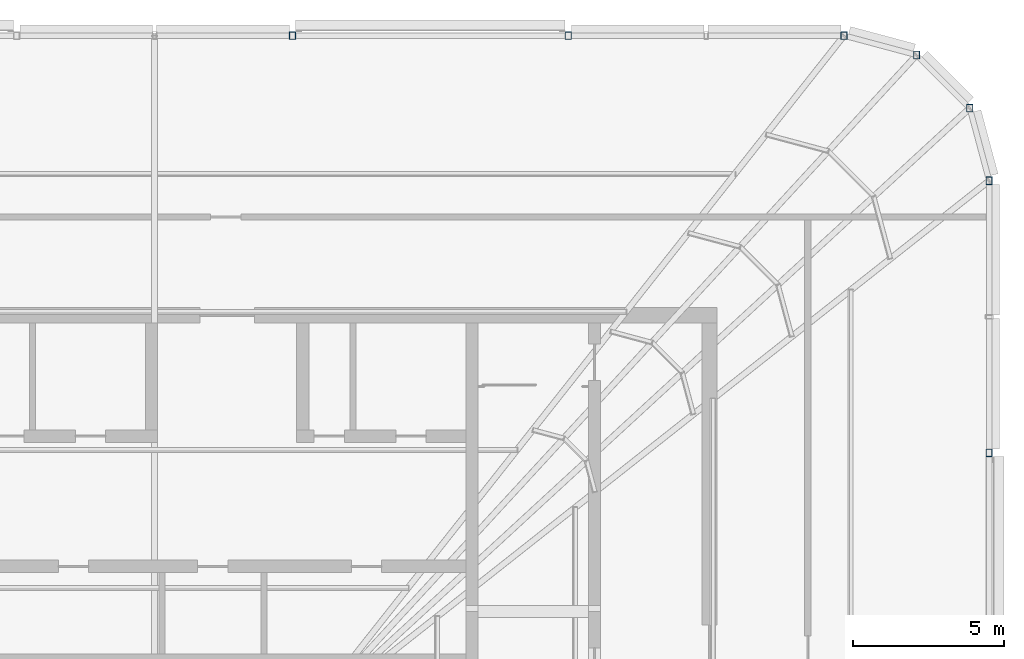
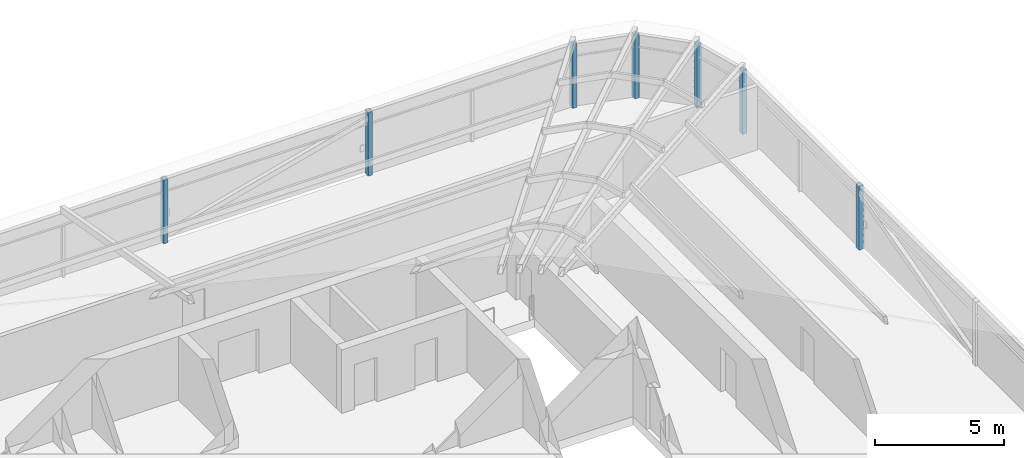
# One storey, part 4 of 46: 7 columns.
"""IFC4 building model written with IfcOpenShell, lengths in metres."""

import ifcopenshell
import ifcopenshell.guid

model = None  # the IFC model being written
_history = None  # IfcOwnerHistory: only IFC2X3 demands one
_inside = {}  # id of a spatial element -> (the spatial element, [elements in it])
_under = {}  # id of a project, library or spatial element -> (it, [spatial elements below it])
_declared = {}  # id of a project -> (the project, [libraries it declares])
_typed = {}  # id of a type object -> (the type object, [elements of that type])
_made_of = {}  # id of a material, layer set ... -> (it, [elements and type objects made of it])


def new_model(schema):
    """Start an empty IFC model of exactly this schema.

    Asked for "IFC4X3", IfcOpenShell would pick the latest addendum, in which some entities
    have other attributes; the version numbers below select the first issue.
    IFC2X3 requires an IfcOwnerHistory on every rooted entity: one is made here for all.
    """
    global model, _history
    if schema == "IFC4X3":
        model = ifcopenshell.file(schema_version=(4, 3, 0, 0))
    else:
        model = ifcopenshell.file(schema=schema)
    _inside.clear()
    _under.clear()
    _declared.clear()
    _typed.clear()
    _made_of.clear()
    _history = None
    if model.schema == "IFC2X3":
        org = make("IfcOrganization", Name="unknown")
        user = make(
            "IfcPersonAndOrganization",
            ThePerson=make("IfcPerson", FamilyName="unknown"),
            TheOrganization=org,
        )
        app = make(
            "IfcApplication",
            ApplicationDeveloper=org,
            Version="unknown",
            ApplicationFullName="unknown",
            ApplicationIdentifier="unknown",
        )
        _history = make(
            "IfcOwnerHistory",
            OwningUser=user,
            OwningApplication=app,
            ChangeAction="ADDED",
            CreationDate=0,
        )
    return model


def make(cls, **values):
    """One entity of the class cls with the attributes given. An attribute that is None is left unset."""
    return model.create_entity(
        cls, **{name: value for name, value in values.items() if value is not None}
    )


def rooted(cls, **values):
    """An entity with a GlobalId (a new one), such as an element, a storey or a relation."""
    return make(cls, GlobalId=ifcopenshell.guid.new(), OwnerHistory=_history, **values)


def si_unit(unit_type, name, prefix=None):
    """IfcSIUnit, for example si_unit("LENGTHUNIT", "METRE", prefix="MILLI")."""
    return make("IfcSIUnit", UnitType=unit_type, Prefix=prefix, Name=name)


def assignment(units):
    """IfcUnitAssignment: the units of a project."""
    return None if units is None else make("IfcUnitAssignment", Units=units)


def point(xyz):
    """IfcCartesianPoint."""
    return None if xyz is None else make("IfcCartesianPoint", Coordinates=xyz)


def direction(xyz):
    """IfcDirection."""
    return None if xyz is None else make("IfcDirection", DirectionRatios=xyz)


def frame(location, z_axis=None, x_axis=None):
    """IfcAxis2Placement3D, a coordinate frame: its origin and axes. An axis left out is left unset."""
    return make(
        "IfcAxis2Placement3D",
        Location=point(location),
        Axis=direction(z_axis),
        RefDirection=direction(x_axis),
    )


def frame_2d(location, x_axis=None):
    """IfcAxis2Placement2D, a coordinate frame in the plane: its origin and x axis."""
    return make(
        "IfcAxis2Placement2D", Location=point(location), RefDirection=direction(x_axis)
    )


def origin():
    """The frame at (0, 0, 0) with its axes left unset."""
    return frame((0.0, 0.0, 0.0))


def origin_2d():
    """The frame at (0, 0) in the plane with its x axis left unset."""
    return frame_2d((0.0, 0.0))


def place(relative_to, where):
    """IfcLocalPlacement: puts the frame where relative to a parent placement (None: the world)."""
    return make(
        "IfcLocalPlacement", PlacementRelTo=relative_to, RelativePlacement=where
    )


def context(
    kind, dimensions, precision=None, world=None, true_north=None, identifier=None
):
    """IfcGeometricRepresentationContext, for example the 3D "Model" context."""
    return make(
        "IfcGeometricRepresentationContext",
        ContextIdentifier=identifier,
        ContextType=kind,
        CoordinateSpaceDimension=dimensions,
        Precision=precision,
        WorldCoordinateSystem=world,
        TrueNorth=true_north,
    )


def subcontext(parent, identifier, kind, view, scale=None):
    """IfcGeometricRepresentationSubContext, for example "Body" below "Model"."""
    return make(
        "IfcGeometricRepresentationSubContext",
        ContextIdentifier=identifier,
        ContextType=kind,
        ParentContext=parent,
        TargetScale=scale,
        TargetView=view,
    )


def project(units=None, contexts=None):
    """IfcProject with its units and contexts."""
    return rooted(
        "IfcProject",
        Name="project",
        RepresentationContexts=contexts,
        UnitsInContext=assignment(units),
    )


def spatial(cls, under=None, at=None, **own):
    """A site, building, storey or space (cls), placed at a placement, below another one or the project."""
    s = rooted(cls, ObjectPlacement=at, **own)
    if under is not None:
        _under.setdefault(under.id(), (under, []))[1].append(s)
    return s


def profile(cls, at=None, kind="AREA", **sizes):
    """A parametric profile (cls). Its sizes go by their IFC names, for example OverallWidth=200.0."""
    return make(cls, ProfileType=kind, Position=at, **sizes)


def hollow_rectangle(**sizes):
    """IfcRectangleHollowProfileDef."""
    return profile("IfcRectangleHollowProfileDef", **sizes)


def extrude(swept, where, along, depth):
    """IfcExtrudedAreaSolid: the profile swept, set in the frame where, extruded along a direction by depth."""
    return make(
        "IfcExtrudedAreaSolid",
        SweptArea=swept,
        Position=where,
        ExtrudedDirection=direction(along),
        Depth=depth,
    )


def shape(context_of_items, identifier, shape_type, items):
    """IfcShapeRepresentation: the items that make up one representation, for example the "Body"."""
    return make(
        "IfcShapeRepresentation",
        ContextOfItems=context_of_items,
        RepresentationIdentifier=identifier,
        RepresentationType=shape_type,
        Items=items,
    )


def material(Name=None, Category=None):
    """IfcMaterial."""
    return make("IfcMaterial", Name=Name, Category=Category)


def material_profile(
    of_material, cross_section, Name=None, Category=None, Priority=None
):
    """IfcMaterialProfile: a cross section and its material."""
    return make(
        "IfcMaterialProfile",
        Name=Name,
        Material=of_material,
        Profile=cross_section,
        Priority=Priority,
        Category=Category,
    )


def profile_set(profiles, Name=None, composite=None):
    """IfcMaterialProfileSet."""
    return make(
        "IfcMaterialProfileSet",
        Name=Name,
        MaterialProfiles=profiles,
        CompositeProfile=composite,
    )


def made_of(thing, what):
    """Note that an element or type object is made of a material, layer set ...; save() writes the relation."""
    if what is not None:
        _made_of.setdefault(what.id(), (what, []))[1].append(thing)
    return thing


def type_object(cls, material=None, **own):
    """A type object (cls), such as IfcWallType, which elements share."""
    return made_of(rooted(cls, **own), material)


def element(
    cls,
    number,
    at=None,
    inside=None,
    cuts=None,
    type_object=None,
    material=None,
    context=None,
    identifier="Body",
    shape_type=None,
    held_by="IfcProductDefinitionShape",
    body=None,
    shapes=None,
    **own,
):
    """One element of the class cls, such as IfcWall. Its Tag is "e" and its number.

    at: its placement. inside: the storey or other place that contains it. cuts: it is an
    opening in that element (IfcRelVoidsElement). A single representation is given by context,
    identifier, shape_type and body (its items); several are given by shapes. held_by: the class
    of the entity that holds the representations. save() writes the other relations.
    """
    e = rooted(cls, Tag="e%d" % number, ObjectPlacement=at, **own)
    if body is not None:
        shapes = [shape(context, identifier, shape_type, body)]
    if shapes is not None:
        e.Representation = make(held_by, Representations=shapes)
    if inside is not None:
        _inside.setdefault(inside.id(), (inside, []))[1].append(e)
    if cuts is not None:
        rooted(
            "IfcRelVoidsElement", RelatingBuildingElement=cuts, RelatedOpeningElement=e
        )
    if type_object is not None:
        _typed.setdefault(type_object.id(), (type_object, []))[1].append(e)
    return made_of(e, material)


def aggregate(whole, parts):
    """IfcRelAggregates: a whole, such as a stair, and the parts it consists of."""
    return rooted("IfcRelAggregates", RelatingObject=whole, RelatedObjects=parts)


def save(model, path):
    """Write the relations noted so far, then the file.

    IfcRelAggregates (storeys below a building ...), IfcRelContainedInSpatialStructure (elements
    in a storey), IfcRelDefinesByType, IfcRelAssociatesMaterial and IfcRelDeclares: one each for
    every whole, place, type object, material and project.
    """
    for whole, parts in _under.values():
        aggregate(whole, parts)
    for where, things in _inside.values():
        rooted(
            "IfcRelContainedInSpatialStructure",
            RelatedElements=things,
            RelatingStructure=where,
        )
    for kind, things in _typed.values():
        rooted("IfcRelDefinesByType", RelatedObjects=things, RelatingType=kind)
    for what, things in _made_of.values():
        rooted("IfcRelAssociatesMaterial", RelatedObjects=things, RelatingMaterial=what)
    for by, libraries in _declared.values():
        rooted("IfcRelDeclares", RelatingContext=by, RelatedDefinitions=libraries)
    model.write(path)


model = new_model("IFC4")

# Units and contexts
model_context = context("Model", 3, precision=1e-05, world=origin(), true_north=direction((0.0, 1.0)))
body_context = subcontext(model_context, "Body", "Model", "MODEL_VIEW")
ifc_project = project(units=[si_unit("LENGTHUNIT", "METRE"), si_unit("AREAUNIT", "SQUARE_METRE"), si_unit("VOLUMEUNIT", "CUBIC_METRE"), si_unit("PLANEANGLEUNIT", "RADIAN"), si_unit("MASSUNIT", "GRAM", prefix="KILO")], contexts=[model_context])

# Site, building, storey
site_placement = place(None, origin())
site = spatial("IfcSite", under=ifc_project, at=site_placement, CompositionType="ELEMENT")
building_placement = place(site_placement, origin())
building = spatial("IfcBuilding", under=site, at=building_placement, Name="Madar Terraces", CompositionType="ELEMENT")
storey_placement = place(building_placement, frame((0.0, 0.0, 317.300048828125)))
storey = spatial("IfcBuildingStorey", under=building, at=storey_placement, Name="L82", CompositionType="ELEMENT", Elevation=317.300048828125)

# Columns
ifc_material = material(Name="Steel ASTM A500 Grade C", Category="steel")
ifc_material_profile = material_profile(ifc_material, hollow_rectangle(XDim=0.203125, YDim=0.25390625, WallThickness=0.009521484375, InnerFilletRadius=0.00439453125, OuterFilletRadius=0.01318359375, at=origin_2d()), Name="HSS10x8x.375")
ifc_profile_set = profile_set([ifc_material_profile], Name="Steel ASTM A500 Grade C")
column_type = type_object("IfcColumnType", Name="CF1 HSS10x8x.375", PredefinedType="COLUMN", material=ifc_profile_set)
for number, where, z_axis, x_axis, name in (
    (1, (56.39990234375, 33.0, 0.0), (0.0, 0.0, 1.0), (1.0, 0.0, 0.0), "Crown frame column CF1"),
    (2, (56.39990234375, 42.0, 0.0), (0.0, 0.0, 1.0), (1.0, 0.0, 0.0), "Crown frame column CF1"),
    (3, (55.7568359375, 44.39990234375, 0.0), (0.0, 0.0, 1.0), (1.0, 0.0, 0.0), "Crown frame column CF1"),
    (4, (54.0, 46.156982421875, 0.0), (0.0, 0.0, 1.0), (1.0, 0.0, 0.0), "Crown frame column CF1"),
    (5, (51.60009765625, 46.800048828125, 0.0), (0.0, 0.0, 1.0), (1.0, 0.0, 0.0), "Crown frame column CF1"),
    (6, (42.47998046875, 46.800048828125, 0.0), (0.0, 0.0, 1.0), (1.0, 0.0, 0.0), "Crown frame column CF1"),
    (7, (33.360107421875, 46.800048828125, 0.0), (0.0, 0.0, 1.0), (1.0, 0.0, 0.0), "Crown frame column CF1"),
):
    element("IfcColumn", number, at=place(storey_placement, frame(where, z_axis=z_axis, x_axis=x_axis)), inside=storey, type_object=column_type, Name=name, PredefinedType="COLUMN", context=body_context, shape_type="SweptSolid", body=[
        extrude(hollow_rectangle(XDim=0.203125, YDim=0.25390625, WallThickness=0.009521484375, InnerFilletRadius=0.00439453125, OuterFilletRadius=0.01318359375, at=origin_2d()), origin(), (0.0, 0.0, 1.0), 3.0),
    ])

save(model, "model.ifc")
